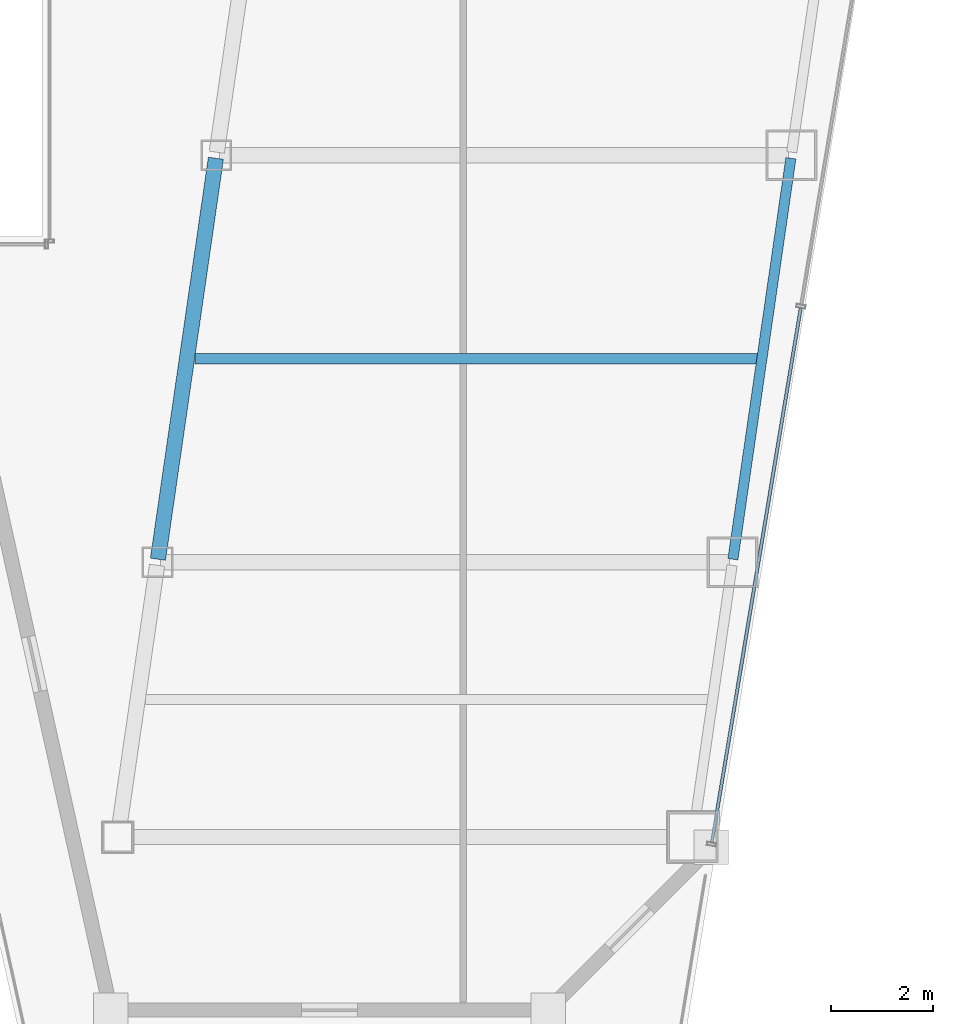
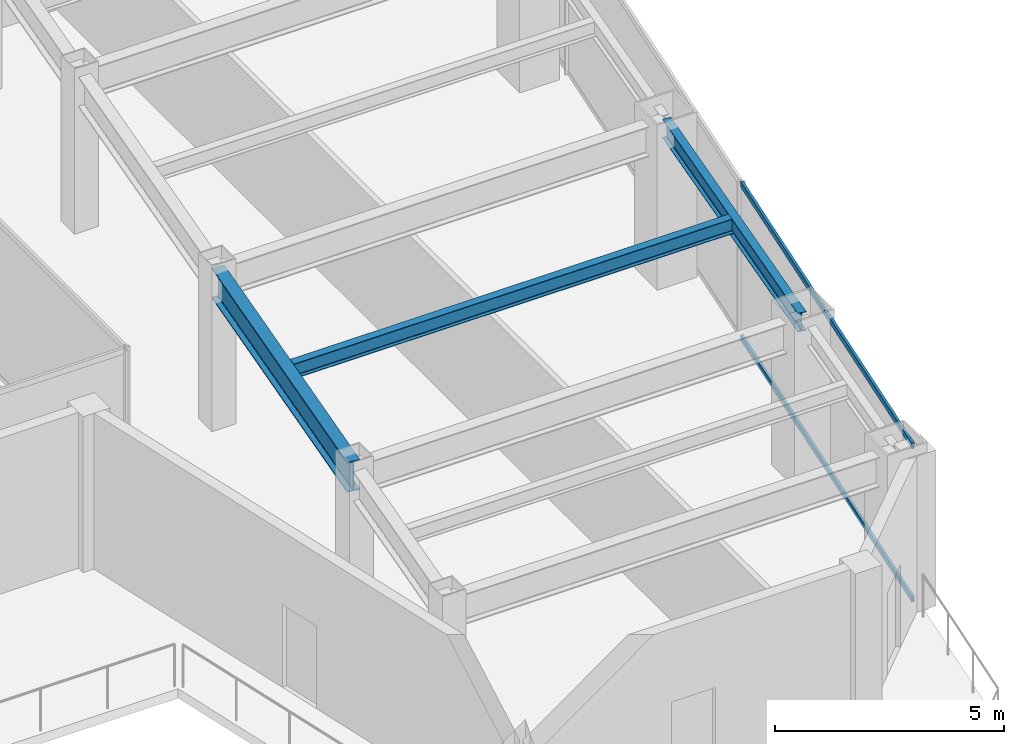
# One storey, part 11 of 35: 3 beams, 2 members, 1 element without a shape of its own.
"""IFC4 building model written with IfcOpenShell, lengths in metres."""

import ifcopenshell
import ifcopenshell.guid

model = None  # the IFC model being written
_history = None  # IfcOwnerHistory: only IFC2X3 demands one
_inside = {}  # id of a spatial element -> (the spatial element, [elements in it])
_under = {}  # id of a project, library or spatial element -> (it, [spatial elements below it])
_declared = {}  # id of a project -> (the project, [libraries it declares])
_typed = {}  # id of a type object -> (the type object, [elements of that type])
_made_of = {}  # id of a material, layer set ... -> (it, [elements and type objects made of it])


def new_model(schema):
    """Start an empty IFC model of exactly this schema.

    Asked for "IFC4X3", IfcOpenShell would pick the latest addendum, in which some entities
    have other attributes; the version numbers below select the first issue.
    IFC2X3 requires an IfcOwnerHistory on every rooted entity: one is made here for all.
    """
    global model, _history
    if schema == "IFC4X3":
        model = ifcopenshell.file(schema_version=(4, 3, 0, 0))
    else:
        model = ifcopenshell.file(schema=schema)
    _inside.clear()
    _under.clear()
    _declared.clear()
    _typed.clear()
    _made_of.clear()
    _history = None
    if model.schema == "IFC2X3":
        org = make("IfcOrganization", Name="unknown")
        user = make(
            "IfcPersonAndOrganization",
            ThePerson=make("IfcPerson", FamilyName="unknown"),
            TheOrganization=org,
        )
        app = make(
            "IfcApplication",
            ApplicationDeveloper=org,
            Version="unknown",
            ApplicationFullName="unknown",
            ApplicationIdentifier="unknown",
        )
        _history = make(
            "IfcOwnerHistory",
            OwningUser=user,
            OwningApplication=app,
            ChangeAction="ADDED",
            CreationDate=0,
        )
    return model


def make(cls, **values):
    """One entity of the class cls with the attributes given. An attribute that is None is left unset."""
    return model.create_entity(
        cls, **{name: value for name, value in values.items() if value is not None}
    )


def rooted(cls, **values):
    """An entity with a GlobalId (a new one), such as an element, a storey or a relation."""
    return make(cls, GlobalId=ifcopenshell.guid.new(), OwnerHistory=_history, **values)


def si_unit(unit_type, name, prefix=None):
    """IfcSIUnit, for example si_unit("LENGTHUNIT", "METRE", prefix="MILLI")."""
    return make("IfcSIUnit", UnitType=unit_type, Prefix=prefix, Name=name)


def assignment(units):
    """IfcUnitAssignment: the units of a project."""
    return None if units is None else make("IfcUnitAssignment", Units=units)


def point(xyz):
    """IfcCartesianPoint."""
    return None if xyz is None else make("IfcCartesianPoint", Coordinates=xyz)


def direction(xyz):
    """IfcDirection."""
    return None if xyz is None else make("IfcDirection", DirectionRatios=xyz)


def frame(location, z_axis=None, x_axis=None):
    """IfcAxis2Placement3D, a coordinate frame: its origin and axes. An axis left out is left unset."""
    return make(
        "IfcAxis2Placement3D",
        Location=point(location),
        Axis=direction(z_axis),
        RefDirection=direction(x_axis),
    )


def frame_2d(location, x_axis=None):
    """IfcAxis2Placement2D, a coordinate frame in the plane: its origin and x axis."""
    return make(
        "IfcAxis2Placement2D", Location=point(location), RefDirection=direction(x_axis)
    )


def origin():
    """The frame at (0, 0, 0) with its axes left unset."""
    return frame((0.0, 0.0, 0.0))


def origin_2d():
    """The frame at (0, 0) in the plane with its x axis left unset."""
    return frame_2d((0.0, 0.0))


def place(relative_to, where):
    """IfcLocalPlacement: puts the frame where relative to a parent placement (None: the world)."""
    return make(
        "IfcLocalPlacement", PlacementRelTo=relative_to, RelativePlacement=where
    )


def context(
    kind, dimensions, precision=None, world=None, true_north=None, identifier=None
):
    """IfcGeometricRepresentationContext, for example the 3D "Model" context."""
    return make(
        "IfcGeometricRepresentationContext",
        ContextIdentifier=identifier,
        ContextType=kind,
        CoordinateSpaceDimension=dimensions,
        Precision=precision,
        WorldCoordinateSystem=world,
        TrueNorth=true_north,
    )


def subcontext(parent, identifier, kind, view, scale=None):
    """IfcGeometricRepresentationSubContext, for example "Body" below "Model"."""
    return make(
        "IfcGeometricRepresentationSubContext",
        ContextIdentifier=identifier,
        ContextType=kind,
        ParentContext=parent,
        TargetScale=scale,
        TargetView=view,
    )


def project(units=None, contexts=None):
    """IfcProject with its units and contexts."""
    return rooted(
        "IfcProject",
        Name="project",
        RepresentationContexts=contexts,
        UnitsInContext=assignment(units),
    )


def spatial(cls, under=None, at=None, **own):
    """A site, building, storey or space (cls), placed at a placement, below another one or the project."""
    s = rooted(cls, ObjectPlacement=at, **own)
    if under is not None:
        _under.setdefault(under.id(), (under, []))[1].append(s)
    return s


def profile(cls, at=None, kind="AREA", **sizes):
    """A parametric profile (cls). Its sizes go by their IFC names, for example OverallWidth=200.0."""
    return make(cls, ProfileType=kind, Position=at, **sizes)


def hollow_rectangle(**sizes):
    """IfcRectangleHollowProfileDef."""
    return profile("IfcRectangleHollowProfileDef", **sizes)


def i_section(**sizes):
    """IfcIShapeProfileDef."""
    return profile("IfcIShapeProfileDef", **sizes)


def extrude(swept, where, along, depth):
    """IfcExtrudedAreaSolid: the profile swept, set in the frame where, extruded along a direction by depth."""
    return make(
        "IfcExtrudedAreaSolid",
        SweptArea=swept,
        Position=where,
        ExtrudedDirection=direction(along),
        Depth=depth,
    )


def shape(context_of_items, identifier, shape_type, items):
    """IfcShapeRepresentation: the items that make up one representation, for example the "Body"."""
    return make(
        "IfcShapeRepresentation",
        ContextOfItems=context_of_items,
        RepresentationIdentifier=identifier,
        RepresentationType=shape_type,
        Items=items,
    )


def material(Name=None, Category=None):
    """IfcMaterial."""
    return make("IfcMaterial", Name=Name, Category=Category)


def material_profile(
    of_material, cross_section, Name=None, Category=None, Priority=None
):
    """IfcMaterialProfile: a cross section and its material."""
    return make(
        "IfcMaterialProfile",
        Name=Name,
        Material=of_material,
        Profile=cross_section,
        Priority=Priority,
        Category=Category,
    )


def profile_set(profiles, Name=None, composite=None):
    """IfcMaterialProfileSet."""
    return make(
        "IfcMaterialProfileSet",
        Name=Name,
        MaterialProfiles=profiles,
        CompositeProfile=composite,
    )


def made_of(thing, what):
    """Note that an element or type object is made of a material, layer set ...; save() writes the relation."""
    if what is not None:
        _made_of.setdefault(what.id(), (what, []))[1].append(thing)
    return thing


def type_object(cls, material=None, **own):
    """A type object (cls), such as IfcWallType, which elements share."""
    return made_of(rooted(cls, **own), material)


def element(
    cls,
    number,
    at=None,
    inside=None,
    cuts=None,
    type_object=None,
    material=None,
    context=None,
    identifier="Body",
    shape_type=None,
    held_by="IfcProductDefinitionShape",
    body=None,
    shapes=None,
    **own,
):
    """One element of the class cls, such as IfcWall. Its Tag is "e" and its number.

    at: its placement. inside: the storey or other place that contains it. cuts: it is an
    opening in that element (IfcRelVoidsElement). A single representation is given by context,
    identifier, shape_type and body (its items); several are given by shapes. held_by: the class
    of the entity that holds the representations. save() writes the other relations.
    """
    e = rooted(cls, Tag="e%d" % number, ObjectPlacement=at, **own)
    if body is not None:
        shapes = [shape(context, identifier, shape_type, body)]
    if shapes is not None:
        e.Representation = make(held_by, Representations=shapes)
    if inside is not None:
        _inside.setdefault(inside.id(), (inside, []))[1].append(e)
    if cuts is not None:
        rooted(
            "IfcRelVoidsElement", RelatingBuildingElement=cuts, RelatedOpeningElement=e
        )
    if type_object is not None:
        _typed.setdefault(type_object.id(), (type_object, []))[1].append(e)
    return made_of(e, material)


def aggregate(whole, parts):
    """IfcRelAggregates: a whole, such as a stair, and the parts it consists of."""
    return rooted("IfcRelAggregates", RelatingObject=whole, RelatedObjects=parts)


def save(model, path):
    """Write the relations noted so far, then the file.

    IfcRelAggregates (storeys below a building ...), IfcRelContainedInSpatialStructure (elements
    in a storey), IfcRelDefinesByType, IfcRelAssociatesMaterial and IfcRelDeclares: one each for
    every whole, place, type object, material and project.
    """
    for whole, parts in _under.values():
        aggregate(whole, parts)
    for where, things in _inside.values():
        rooted(
            "IfcRelContainedInSpatialStructure",
            RelatedElements=things,
            RelatingStructure=where,
        )
    for kind, things in _typed.values():
        rooted("IfcRelDefinesByType", RelatedObjects=things, RelatingType=kind)
    for what, things in _made_of.values():
        rooted("IfcRelAssociatesMaterial", RelatedObjects=things, RelatingMaterial=what)
    for by, libraries in _declared.values():
        rooted("IfcRelDeclares", RelatingContext=by, RelatedDefinitions=libraries)
    model.write(path)


model = new_model("IFC4")

# Units and contexts
model_context = context("Model", 3, precision=1e-05, world=origin(), true_north=direction((0.0, 1.0)))
body_context = subcontext(model_context, "Body", "Model", "MODEL_VIEW")
ifc_project = project(units=[si_unit("LENGTHUNIT", "METRE"), si_unit("AREAUNIT", "SQUARE_METRE"), si_unit("VOLUMEUNIT", "CUBIC_METRE"), si_unit("PLANEANGLEUNIT", "RADIAN"), si_unit("MASSUNIT", "GRAM", prefix="KILO")], contexts=[model_context])

# Site, building, storey
site_placement = place(None, origin())
site = spatial("IfcSite", under=ifc_project, at=site_placement, CompositionType="ELEMENT")
building_placement = place(site_placement, origin())
building = spatial("IfcBuilding", under=site, at=building_placement, Name="Saevonmaru Cultural Tower", CompositionType="ELEMENT")
storey_placement = place(building_placement, frame((0.0, 0.0, 101.60009765625)))
storey = spatial("IfcBuildingStorey", under=building, at=storey_placement, Name="L21", CompositionType="ELEMENT", Elevation=101.60009765625)

# Beams
ifc_material_1 = material(Name="Steel SM420", Category="steel")
ifc_material_profile_1 = material_profile(ifc_material_1, i_section(OverallWidth=0.300048828125, OverallDepth=0.800048828125, WebThickness=0.013916015625, FlangeThickness=0.02587890625, FilletRadius=0.028076171875, at=origin_2d()), Name="H-800x300x14x26")
ifc_profile_set_1 = profile_set([ifc_material_profile_1], Name="Steel SM420")
beam_type_1 = type_object("IfcBeamType", Name="BM-G-H800", PredefinedType="BEAM", material=ifc_profile_set_1)
beam_1_placement = place(storey_placement, frame((38.08056640625, 16.059326171875, 3.75), z_axis=(0.143022161059, 0.989719486241, 0.0), x_axis=(-0.989719486241, 0.143022161059, 0.0)))
element("IfcBeam", 1, at=beam_1_placement, inside=storey, type_object=beam_type_1, Name="L21 East Atrium Girder 2", PredefinedType="BEAM", context=body_context, shape_type="SweptSolid", body=[
    extrude(i_section(OverallWidth=0.300048828125, OverallDepth=0.800048828125, WebThickness=0.013916015625, FlangeThickness=0.02587890625, FilletRadius=0.028076171875, at=origin_2d()), origin(), (0.0, 0.0, 1.0), 7.963134765625),
])
ifc_material_2 = material(Name="Steel SM355", Category="steel")
ifc_material_profile_2 = material_profile(ifc_material_2, i_section(OverallWidth=0.199951171875, OverallDepth=0.39990234375, WebThickness=0.008056640625, FlangeThickness=0.012939453125, FilletRadius=0.01611328125, at=origin_2d()), Name="H-400x200x8x13")
ifc_profile_set_2 = profile_set([ifc_material_profile_2], Name="Steel SM355")
beam_type_2 = type_object("IfcBeamType", Name="BM-J-H400", PredefinedType="JOIST", material=ifc_profile_set_2)
beam_2_placement = place(storey_placement, frame((38.80810546875, 20.0, 3.949951171875), z_axis=(1.0, 0.0, 0.0), x_axis=(0.0, 1.0, 0.0)))
element("IfcBeam", 2, at=beam_2_placement, inside=storey, type_object=beam_type_2, Name="L21 East Wing Floor Joist 2", PredefinedType="JOIST", context=body_context, shape_type="SweptSolid", body=[
    extrude(i_section(OverallWidth=0.199951171875, OverallDepth=0.39990234375, WebThickness=0.008056640625, FlangeThickness=0.012939453125, FilletRadius=0.01611328125, at=origin_2d()), origin(), (0.0, 0.0, 1.0), 11.081787109375),
])
ifc_material_profile_3 = material_profile(ifc_material_2, i_section(OverallWidth=0.199951171875, OverallDepth=0.5, WebThickness=0.010009765625, FlangeThickness=0.01611328125, FilletRadius=0.02001953125, at=origin_2d()), Name="H-500x200x10x16")
ifc_profile_set_3 = profile_set([ifc_material_profile_3], Name="Steel SM355")
beam_type_3 = type_object("IfcBeamType", Name="BM-SP-H500", PredefinedType="SPANDREL", material=ifc_profile_set_3)
beam_3_placement = place(storey_placement, frame((49.380615234375, 16.059326171875, 3.89990234375), z_axis=(0.142992129437, 0.989723825579, 0.0), x_axis=(-0.989723825579, 0.142992129437, 0.0)))
element("IfcBeam", 3, at=beam_3_placement, inside=storey, type_object=beam_type_3, Name="L21 East Splayed Spandrel 2", PredefinedType="SPANDREL", context=body_context, shape_type="SweptSolid", body=[
    extrude(i_section(OverallWidth=0.199951171875, OverallDepth=0.5, WebThickness=0.010009765625, FlangeThickness=0.01611328125, FilletRadius=0.02001953125, at=origin_2d()), origin(), (0.0, 0.0, 1.0), 7.963134765625),
])

# Curtain wall, members
ifc_material_3 = material(Name="Satin Bronze Anodised Aluminium", Category="aluminium")
curtain_wall_type = type_object("IfcCurtainWallType", Name="CW-TYP-A", PredefinedType="NOTDEFINED", material=ifc_material_3)
curtain_wall_placement = place(storey_placement, origin())
curtain_wall = element("IfcCurtainWall", 4, at=curtain_wall_placement, inside=storey, type_object=curtain_wall_type, Name="L21 Unitised Curtain Wall E8", PredefinedType="NOTDEFINED")
ifc_material_profile_4 = material_profile(ifc_material_3, hollow_rectangle(XDim=0.06494140625, YDim=0.14990234375, WallThickness=0.00390625, at=origin_2d()), Name="ALU-TRAN-150x65x4")
ifc_profile_set_4 = profile_set([ifc_material_profile_4], Name="Satin Bronze Anodised Aluminium")
member_type = type_object("IfcMemberType", Name="TR-CW-150x65", PredefinedType="USERDEFINED", material=ifc_profile_set_4)
member_1_placement = place(storey_placement, frame((48.96630859375, 10.4912109375, 0.032470703125), z_axis=(0.163990079074, 0.9864619881, 0.0), x_axis=(-0.9864619881, 0.163990079074, 0.0)))
member_1 = element("IfcMember", 5, at=member_1_placement, type_object=member_type, Name="CW-TW-L21-E8 transom 1.1", ObjectType="TRANSOM", PredefinedType="USERDEFINED", context=body_context, shape_type="SweptSolid", body=[
    extrude(hollow_rectangle(XDim=0.06494140625, YDim=0.14990234375, WallThickness=0.00390625, at=origin_2d()), origin(), (0.0, 0.0, 1.0), 10.650634765625),
])
member_2_placement = place(storey_placement, frame((48.96630859375, 10.4912109375, 4.117431640625), z_axis=(0.163990079074, 0.9864619881, 0.0), x_axis=(-0.9864619881, 0.163990079074, 0.0)))
member_2 = element("IfcMember", 6, at=member_2_placement, type_object=member_type, Name="CW-TW-L21-E8 transom 1.2", ObjectType="TRANSOM", PredefinedType="USERDEFINED", context=body_context, shape_type="SweptSolid", body=[
    extrude(hollow_rectangle(XDim=0.06494140625, YDim=0.14990234375, WallThickness=0.00390625, at=origin_2d()), origin(), (0.0, 0.0, 1.0), 10.650634765625),
])
aggregate(curtain_wall, [member_1, member_2])

save(model, "model.ifc")
